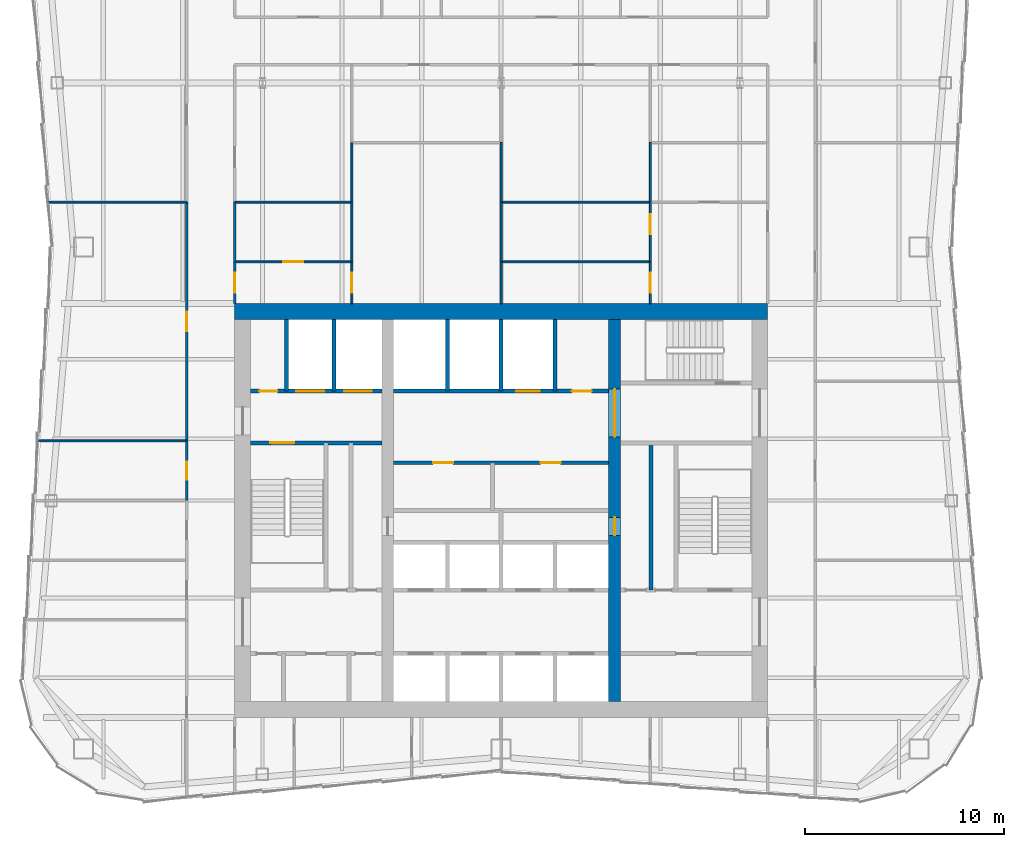
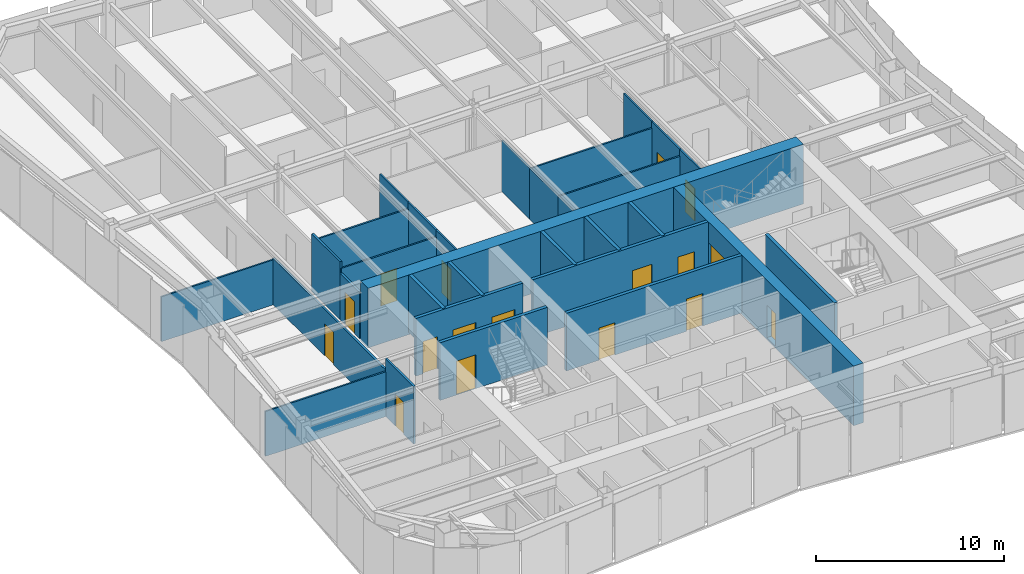
# One storey, part 7 of 12: 31 walls, 17 doors, 17 openings.
"""IFC4 building model written with IfcOpenShell, lengths in metres."""

from ifc_helpers import new_model, si_unit, direction, frame, frame_2d, origin, place, context, subcontext, project, spatial, rectangle, extrude, material, layer, layer_set, type_object, element, fill, save


model = new_model("IFC4")

# Units and contexts
model_context = context("Model", 3, precision=1e-05, world=origin(), true_north=direction((0.0, 1.0)))
body_context = subcontext(model_context, "Body", "Model", "MODEL_VIEW")
ifc_project = project(units=[si_unit("LENGTHUNIT", "METRE"), si_unit("AREAUNIT", "SQUARE_METRE"), si_unit("VOLUMEUNIT", "CUBIC_METRE"), si_unit("PLANEANGLEUNIT", "RADIAN"), si_unit("MASSUNIT", "GRAM", prefix="KILO")], contexts=[model_context])

# Site, building, storey
site_placement = place(None, origin())
site = spatial("IfcSite", under=ifc_project, at=site_placement, CompositionType="ELEMENT")
building_placement = place(site_placement, origin())
building = spatial("IfcBuilding", under=site, at=building_placement, Name="Verdant Reach Tower", CompositionType="ELEMENT")
storey_placement = place(building_placement, frame((0.0, 0.0, 278.0)))
storey = spatial("IfcBuildingStorey", under=building, at=storey_placement, Name="L64", CompositionType="ELEMENT", Elevation=278.0)

# Wall, openings, doors
ifc_material_1 = material(Name="Gypsum board on steel studs", Category="steel")
ifc_layer_1 = layer(ifc_material_1, 0.199951171875)
ifc_layer_set_1 = layer_set([ifc_layer_1], Name="CO-WALL-ROOM")
wall_type_1 = type_object("IfcWallType", Name="CO-WALL-ROOM", PredefinedType="PARTITIONING", material=ifc_layer_set_1)
wall_1_placement = place(storey_placement, frame((-5.39990234375, 30.39990234375, 0.0), z_axis=(0.0, 0.0, 1.0), x_axis=(1.0, 0.0, 0.0)))
wall_1 = element("IfcWall", 1, at=wall_1_placement, inside=storey, type_object=wall_type_1, Name="Core partition, L64", PredefinedType="PARTITIONING", context=body_context, shape_type="SweptSolid", body=[
    extrude(rectangle(XDim=10.7998046875, YDim=0.199951171875, at=frame_2d((5.39990234375, 0.0))), origin(), (0.0, 0.0, 1.0), 3.75),
])
opening_1_placement = place(wall_1_placement, frame((1.98388671875, 0.0, 0.0)))
opening_1 = element("IfcOpeningElement", 2, at=opening_1_placement, cuts=wall_1, Name="Opening CD", PredefinedType="OPENING", context=body_context, shape_type="SweptSolid", body=[
    extrude(rectangle(XDim=1.0, YDim=2.10009765625, at=frame_2d((0.5, 1.050048828125))), frame((0.0, 0.10986328125, 0.0), z_axis=(0.0, -1.0, 0.0), x_axis=(1.0, 0.0, 0.0)), (0.0, 0.0, 1.0), 0.219970703125),
])
opening_2_placement = place(wall_1_placement, frame((7.384033203125, 0.0, 0.0)))
opening_2 = element("IfcOpeningElement", 3, at=opening_2_placement, cuts=wall_1, Name="Opening CD", PredefinedType="OPENING", context=body_context, shape_type="SweptSolid", body=[
    extrude(rectangle(XDim=1.0, YDim=2.10009765625, at=frame_2d((0.5, 1.050048828125))), frame((0.0, 0.10986328125, 0.0), z_axis=(0.0, -1.0, 0.0), x_axis=(1.0, 0.0, 0.0)), (0.0, 0.0, 1.0), 0.219970703125),
])
ifc_material_2 = material(Name="Timber", Category="wood")
door_type_1 = type_object("IfcDoorType", Name="CO-DOOR-ROOM", OperationType="NOTDEFINED", PredefinedType="DOOR", material=ifc_material_2)
door_1_placement = place(opening_1_placement, origin())
door_1 = element("IfcDoor", 4, at=door_1_placement, inside=storey, type_object=door_type_1, Name="Core room door, L64", OperationType="SINGLE_SWING_LEFT", OverallHeight=2.10009765625, OverallWidth=1.0, PredefinedType="DOOR", context=body_context, shape_type="SweptSolid", body=[
    extrude(rectangle(XDim=1.0, YDim=2.10009765625, at=frame_2d((0.5, 1.050048828125))), frame((0.0, 0.02490234375, 0.0), z_axis=(0.0, -1.0, 0.0), x_axis=(1.0, 0.0, 0.0)), (0.0, 0.0, 1.0), 0.050048828125),
])
fill(opening_1, door_1)
door_2_placement = place(opening_2_placement, origin())
door_2 = element("IfcDoor", 5, at=door_2_placement, inside=storey, type_object=door_type_1, Name="Core room door, L64", OperationType="SINGLE_SWING_RIGHT", OverallHeight=2.10009765625, OverallWidth=1.0, PredefinedType="DOOR", context=body_context, shape_type="SweptSolid", body=[
    extrude(rectangle(XDim=1.0, YDim=2.10009765625, at=frame_2d((0.5, 1.050048828125))), frame((0.0, 0.02490234375, 0.0), z_axis=(0.0, -1.0, 0.0), x_axis=(1.0, 0.0, 0.0)), (0.0, 0.0, 1.0), 0.050048828125),
])
fill(opening_2, door_2)

# Wall
wall_2_placement = place(storey_placement, frame((7.5400390625, 24.0, 0.0), z_axis=(0.0, 0.0, 1.0), x_axis=(0.0, 1.0, 0.0)))
element("IfcWall", 6, at=wall_2_placement, inside=storey, type_object=wall_type_1, Name="Core partition, L64", PredefinedType="PARTITIONING", context=body_context, shape_type="SweptSolid", body=[
    extrude(rectangle(XDim=7.39990234375, YDim=0.199951171875, at=frame_2d((3.699951171875, 0.0))), origin(), (0.0, 0.0, 1.0), 3.75),
])

# Wall, openings, doors
ifc_material_3 = material(Name="Concrete C40/50", Category="concrete")
ifc_layer_2 = layer(ifc_material_3, 0.199951171875)
ifc_layer_set_2 = layer_set([ifc_layer_2], Name="CO-WALL-SHAFT")
wall_type_2 = type_object("IfcWallType", Name="CO-WALL-SHAFT", PredefinedType="PARTITIONING", material=ifc_layer_set_2)
wall_3_placement = place(storey_placement, frame((-12.60009765625, 34.0, 0.0), z_axis=(0.0, 0.0, 1.0), x_axis=(1.0, 0.0, 0.0)))
wall_3 = element("IfcWall", 7, at=wall_3_placement, inside=storey, type_object=wall_type_2, Name="Lift shaft wall, L64", PredefinedType="PARTITIONING", context=body_context, shape_type="SweptSolid", body=[
    extrude(rectangle(XDim=6.60009765625, YDim=0.199951171875, at=frame_2d((3.300048828125, 0.0))), origin(), (0.0, 0.0, 1.0), 3.75),
])
opening_3_placement = place(wall_3_placement, frame((4.699951171875, 0.0, 0.0)))
opening_3 = element("IfcOpeningElement", 8, at=opening_3_placement, cuts=wall_3, Name="Opening LD-F1", PredefinedType="OPENING", context=body_context, shape_type="SweptSolid", body=[
    extrude(rectangle(XDim=1.39990234375, YDim=2.199951171875, at=frame_2d((0.699951171875, 1.10009765625))), frame((0.0, 0.10986328125, 0.0), z_axis=(0.0, -1.0, 0.0), x_axis=(1.0, 0.0, 0.0)), (0.0, 0.0, 1.0), 0.219970703125),
])
opening_4_placement = place(wall_3_placement, frame((2.300048828125, 0.0, 0.0)))
opening_4 = element("IfcOpeningElement", 9, at=opening_4_placement, cuts=wall_3, Name="Opening LD-F2", PredefinedType="OPENING", context=body_context, shape_type="SweptSolid", body=[
    extrude(rectangle(XDim=1.39990234375, YDim=2.199951171875, at=frame_2d((0.699951171875, 1.10009765625))), frame((0.0, 0.10986328125, 0.0), z_axis=(0.0, -1.0, 0.0), x_axis=(1.0, 0.0, 0.0)), (0.0, 0.0, 1.0), 0.219970703125),
])
opening_5_placement = place(wall_3_placement, frame((0.449951171875, 0.0, 0.0)))
opening_5 = element("IfcOpeningElement", 10, at=opening_5_placement, cuts=wall_3, Name="Opening RD", PredefinedType="OPENING", context=body_context, shape_type="SweptSolid", body=[
    extrude(rectangle(XDim=0.89990234375, YDim=2.10009765625, at=frame_2d((0.449951171875, 1.050048828125))), frame((0.0, 0.10986328125, 0.0), z_axis=(0.0, -1.0, 0.0), x_axis=(1.0, 0.0, 0.0)), (0.0, 0.0, 1.0), 0.219970703125),
])
ifc_material_4 = material(Name="Stainless steel", Category="steel")
door_type_2 = type_object("IfcDoorType", Name="CO-DOOR-LANDING-FF", OperationType="SLIDING_TO_LEFT", PredefinedType="DOOR", material=ifc_material_4)
door_3_placement = place(opening_3_placement, origin())
door_3 = element("IfcDoor", 11, at=door_3_placement, inside=storey, type_object=door_type_2, Name="Landing door F1, L64", OperationType="SLIDING_TO_LEFT", OverallHeight=2.199951171875, OverallWidth=1.39990234375, PredefinedType="DOOR", context=body_context, shape_type="SweptSolid", body=[
    extrude(rectangle(XDim=1.39990234375, YDim=2.199951171875, at=frame_2d((0.699951171875, 1.10009765625))), frame((0.0, 0.02490234375, 0.0), z_axis=(0.0, -1.0, 0.0), x_axis=(1.0, 0.0, 0.0)), (0.0, 0.0, 1.0), 0.050048828125),
])
fill(opening_3, door_3)
door_4_placement = place(opening_4_placement, origin())
door_4 = element("IfcDoor", 12, at=door_4_placement, inside=storey, type_object=door_type_2, Name="Landing door F2, L64", OperationType="SLIDING_TO_LEFT", OverallHeight=2.199951171875, OverallWidth=1.39990234375, PredefinedType="DOOR", context=body_context, shape_type="SweptSolid", body=[
    extrude(rectangle(XDim=1.39990234375, YDim=2.199951171875, at=frame_2d((0.699951171875, 1.10009765625))), frame((0.0, 0.02490234375, 0.0), z_axis=(0.0, -1.0, 0.0), x_axis=(1.0, 0.0, 0.0)), (0.0, 0.0, 1.0), 0.050048828125),
])
fill(opening_4, door_4)
ifc_material_5 = material(Name="Steel", Category="steel")
door_type_3 = type_object("IfcDoorType", Name="CO-DOOR-RISER", OperationType="NOTDEFINED", PredefinedType="DOOR", material=ifc_material_5)
door_5_placement = place(opening_5_placement, origin())
door_5 = element("IfcDoor", 13, at=door_5_placement, inside=storey, type_object=door_type_3, Name="Core room door, L64", OperationType="SINGLE_SWING_RIGHT", OverallHeight=2.10009765625, OverallWidth=0.89990234375, PredefinedType="DOOR", context=body_context, shape_type="SweptSolid", body=[
    extrude(rectangle(XDim=0.89990234375, YDim=2.10009765625, at=frame_2d((0.449951171875, 1.050048828125))), frame((0.0, 0.02490234375, 0.0), z_axis=(0.0, -1.0, 0.0), x_axis=(1.0, 0.0, 0.0)), (0.0, 0.0, 1.0), 0.050048828125),
])
fill(opening_5, door_5)

wall_4_placement = place(storey_placement, frame((-5.39990234375, 34.0, 0.0), z_axis=(0.0, 0.0, 1.0), x_axis=(1.0, 0.0, 0.0)))
wall_4 = element("IfcWall", 14, at=wall_4_placement, inside=storey, type_object=wall_type_2, Name="Lift shaft wall, L64", PredefinedType="PARTITIONING", context=body_context, shape_type="SweptSolid", body=[
    extrude(rectangle(XDim=10.7998046875, YDim=0.199951171875, at=frame_2d((5.39990234375, 0.0))), origin(), (0.0, 0.0, 1.0), 3.75),
])
opening_6_placement = place(wall_4_placement, frame((6.14990234375, 0.0, 0.0)))
opening_6 = element("IfcOpeningElement", 15, at=opening_6_placement, cuts=wall_4, Name="Opening LD-SL1", PredefinedType="OPENING", context=body_context, shape_type="SweptSolid", body=[
    extrude(rectangle(XDim=1.199951171875, YDim=2.199951171875, at=frame_2d((0.60009765625, 1.10009765625))), frame((0.0, 0.10986328125, 0.0), z_axis=(0.0, -1.0, 0.0), x_axis=(1.0, 0.0, 0.0)), (0.0, 0.0, 1.0), 0.219970703125),
])
opening_7_placement = place(wall_4_placement, frame((8.949951171875, 0.0, 0.0)))
opening_7 = element("IfcOpeningElement", 16, at=opening_7_placement, cuts=wall_4, Name="Opening CD", PredefinedType="OPENING", context=body_context, shape_type="SweptSolid", body=[
    extrude(rectangle(XDim=1.0, YDim=2.10009765625, at=frame_2d((0.5, 1.050048828125))), frame((0.0, 0.10986328125, 0.0), z_axis=(0.0, -1.0, 0.0), x_axis=(1.0, 0.0, 0.0)), (0.0, 0.0, 1.0), 0.219970703125),
])
door_type_4 = type_object("IfcDoorType", Name="CO-DOOR-LANDING", OperationType="SLIDING_TO_LEFT", PredefinedType="DOOR", material=ifc_material_4)
door_6_placement = place(opening_6_placement, origin())
door_6 = element("IfcDoor", 17, at=door_6_placement, inside=storey, type_object=door_type_4, Name="Landing door SL1, L64", OperationType="SLIDING_TO_LEFT", OverallHeight=2.199951171875, OverallWidth=1.199951171875, PredefinedType="DOOR", context=body_context, shape_type="SweptSolid", body=[
    extrude(rectangle(XDim=1.199951171875, YDim=2.199951171875, at=frame_2d((0.60009765625, 1.10009765625))), frame((0.0, 0.02490234375, 0.0), z_axis=(0.0, -1.0, 0.0), x_axis=(1.0, 0.0, 0.0)), (0.0, 0.0, 1.0), 0.050048828125),
])
fill(opening_6, door_6)
door_7_placement = place(opening_7_placement, origin())
door_7 = element("IfcDoor", 18, at=door_7_placement, inside=storey, type_object=door_type_1, Name="Core room door, L64", OperationType="SINGLE_SWING_LEFT", OverallHeight=2.10009765625, OverallWidth=1.0, PredefinedType="DOOR", context=body_context, shape_type="SweptSolid", body=[
    extrude(rectangle(XDim=1.0, YDim=2.10009765625, at=frame_2d((0.5, 1.050048828125))), frame((0.0, 0.02490234375, 0.0), z_axis=(0.0, -1.0, 0.0), x_axis=(1.0, 0.0, 0.0)), (0.0, 0.0, 1.0), 0.050048828125),
])
fill(opening_7, door_7)

# Walls
for number, where, z_axis, x_axis, name in (
    (19, (-10.800048828125, 34.0, 0.0), (0.0, 0.0, 1.0), (0.0, 1.0, 0.0), "Lift shaft wall, L64"),
    (20, (-8.39990234375, 34.0, 0.0), (0.0, 0.0, 1.0), (0.0, 1.0, 0.0), "Lift shaft wall, L64"),
    (21, (-2.699951171875, 34.0, 0.0), (0.0, 0.0, 1.0), (0.0, 1.0, 0.0), "Lift shaft wall, L64"),
    (22, (0.0, 34.0, 0.0), (0.0, 0.0, 1.0), (0.0, 1.0, 0.0), "Lift shaft wall, L64"),
    (23, (2.699951171875, 34.0, 0.0), (0.0, 0.0, 1.0), (0.0, 1.0, 0.0), "Lift shaft wall, L64"),
):
    element("IfcWall", number, at=place(storey_placement, frame(where, z_axis=z_axis, x_axis=x_axis)), inside=storey, type_object=wall_type_2, Name=name, PredefinedType="PARTITIONING", context=body_context, shape_type="SweptSolid", body=[
        extrude(rectangle(XDim=3.60009765625, YDim=0.199951171875, at=frame_2d((1.800048828125, 0.0))), origin(), (0.0, 0.0, 1.0), 3.75),
    ])

# Wall, opening, door
ifc_layer_3 = layer(ifc_material_3, 0.199951171875)
ifc_layer_set_3 = layer_set([ifc_layer_3], Name="CO-WALL-STAIR")
wall_type_3 = type_object("IfcWallType", Name="CO-WALL-STAIR", PredefinedType="PARTITIONING", material=ifc_layer_set_3)
wall_5_placement = place(storey_placement, frame((-12.60009765625, 31.39990234375, 0.0), z_axis=(0.0, 0.0, 1.0), x_axis=(1.0, 0.0, 0.0)))
wall_5 = element("IfcWall", 24, at=wall_5_placement, inside=storey, type_object=wall_type_3, Name="Stair enclosure wall, L64", PredefinedType="PARTITIONING", context=body_context, shape_type="SweptSolid", body=[
    extrude(rectangle(XDim=6.60009765625, YDim=0.199951171875, at=frame_2d((3.300048828125, 0.0))), origin(), (0.0, 0.0, 1.0), 3.75),
])
opening_8_placement = place(wall_5_placement, frame((1.0, 0.0, 0.0)))
opening_8 = element("IfcOpeningElement", 25, at=opening_8_placement, cuts=wall_5, Name="Opening SD", PredefinedType="OPENING", context=body_context, shape_type="SweptSolid", body=[
    extrude(rectangle(XDim=1.199951171875, YDim=2.199951171875, at=frame_2d((0.60009765625, 1.10009765625))), frame((0.0, 0.10986328125, 0.0), z_axis=(0.0, -1.0, 0.0), x_axis=(1.0, 0.0, 0.0)), (0.0, 0.0, 1.0), 0.219970703125),
])
door_type_5 = type_object("IfcDoorType", Name="CO-DOOR-STAIR", OperationType="NOTDEFINED", PredefinedType="DOOR", material=ifc_material_5)
door_8_placement = place(opening_8_placement, origin())
door_8 = element("IfcDoor", 26, at=door_8_placement, inside=storey, type_object=door_type_5, Name="Stair door, L64", OperationType="SINGLE_SWING_LEFT", OverallHeight=2.199951171875, OverallWidth=1.199951171875, PredefinedType="DOOR", context=body_context, shape_type="SweptSolid", body=[
    extrude(rectangle(XDim=1.199951171875, YDim=2.199951171875, at=frame_2d((0.60009765625, 1.10009765625))), frame((0.0, 0.02490234375, 0.0), z_axis=(0.0, -1.0, 0.0), x_axis=(1.0, 0.0, 0.0)), (0.0, 0.0, 1.0), 0.050048828125),
])
fill(opening_8, door_8)

# Walls
ifc_layer_4 = layer(ifc_material_1, 0.10009765625)
ifc_layer_set_4 = layer_set([ifc_layer_4], Name="FL-W1 Partition 100")
wall_type_4 = type_object("IfcWallType", Name="FL-W1 Partition 100", PredefinedType="PARTITIONING", material=ifc_layer_set_4)
wall_6_placement = place(storey_placement, frame((-15.800048828125, 31.5, 0.0), z_axis=(0.0, 0.0, 1.0), x_axis=(-1.0, 0.0, 0.0)))
element("IfcWall", 27, at=wall_6_placement, inside=storey, type_object=wall_type_4, Name="Partition 64.36", PredefinedType="PARTITIONING", context=body_context, shape_type="SweptSolid", body=[
    extrude(rectangle(XDim=7.452392578125, YDim=0.10009765625, at=frame_2d((3.72607421875, 0.0))), origin(), (0.0, 0.0, 1.0), 2.919921875),
])
wall_7_placement = place(storey_placement, frame((-15.800048828125, 43.5, 0.0), z_axis=(0.0, 0.0, 1.0), x_axis=(-1.0, 0.0, 0.0)))
element("IfcWall", 28, at=wall_7_placement, inside=storey, type_object=wall_type_4, Name="Partition 64.37", PredefinedType="PARTITIONING", context=body_context, shape_type="SweptSolid", body=[
    extrude(rectangle(XDim=6.93505859375, YDim=0.10009765625, at=frame_2d((3.467529296875, 0.0))), origin(), (0.0, 0.0, 1.0), 2.919921875),
])

# Wall, opening, door
wall_8_placement = place(storey_placement, frame((-13.39990234375, 40.5, 0.0), z_axis=(0.0, 0.0, 1.0), x_axis=(1.0, 0.0, 0.0)))
wall_8 = element("IfcWall", 29, at=wall_8_placement, inside=storey, type_object=wall_type_4, Name="Partition 64.47", PredefinedType="PARTITIONING", context=body_context, shape_type="SweptSolid", body=[
    extrude(rectangle(XDim=5.89990234375, YDim=0.10009765625, at=frame_2d((2.949951171875, 0.0))), origin(), (0.0, 0.0, 1.0), 3.320068359375),
])
opening_9_placement = place(wall_8_placement, frame((2.449951171875, 0.0, 0.0)))
opening_9 = element("IfcOpeningElement", 30, at=opening_9_placement, cuts=wall_8, Name="Opening D3", PredefinedType="OPENING", context=body_context, shape_type="SweptSolid", body=[
    extrude(rectangle(XDim=1.0, YDim=2.10009765625, at=frame_2d((0.5, 1.050048828125))), frame((0.0, 0.06005859375, 0.0), z_axis=(0.0, -1.0, 0.0), x_axis=(1.0, 0.0, 0.0)), (0.0, 0.0, 1.0), 0.1201171875),
])
ifc_material_6 = material(Name="Painted timber door leaf", Category="wood")
door_type_6 = type_object("IfcDoorType", Name="FL-D3 Door 1000x2100", OperationType="NOTDEFINED", PredefinedType="DOOR", material=ifc_material_6)
door_9_placement = place(opening_9_placement, origin())
door_9 = element("IfcDoor", 31, at=door_9_placement, inside=storey, type_object=door_type_6, Name="Door 64-029", OperationType="SINGLE_SWING_LEFT", OverallHeight=2.10009765625, OverallWidth=1.0, PredefinedType="DOOR", context=body_context, shape_type="SweptSolid", body=[
    extrude(rectangle(XDim=1.0, YDim=2.10009765625, at=frame_2d((0.5, 1.050048828125))), frame((0.0, 0.02490234375, 0.0), z_axis=(0.0, -1.0, 0.0), x_axis=(1.0, 0.0, 0.0)), (0.0, 0.0, 1.0), 0.050048828125),
])
fill(opening_9, door_9)

wall_9_placement = place(storey_placement, frame((-7.5, 40.50390625, 0.0), z_axis=(0.0, 0.0, 1.0), x_axis=(0.0, -1.0, 0.0)))
wall_9 = element("IfcWall", 32, at=wall_9_placement, inside=storey, type_object=wall_type_4, Name="Partition 64.48", PredefinedType="PARTITIONING", context=body_context, shape_type="SweptSolid", body=[
    extrude(rectangle(XDim=2.10400390625, YDim=0.10009765625, at=frame_2d((1.052001953125, 0.0))), origin(), (0.0, 0.0, 1.0), 3.75),
])
opening_10_placement = place(wall_9_placement, frame((0.552001953125, 0.0, 0.0)))
opening_10 = element("IfcOpeningElement", 33, at=opening_10_placement, cuts=wall_9, Name="Opening D3", PredefinedType="OPENING", context=body_context, shape_type="SweptSolid", body=[
    extrude(rectangle(XDim=1.0, YDim=2.10009765625, at=frame_2d((0.5, 1.050048828125))), frame((0.0, 0.06005859375, 0.0), z_axis=(0.0, -1.0, 0.0), x_axis=(1.0, 0.0, 0.0)), (0.0, 0.0, 1.0), 0.1201171875),
])
door_10_placement = place(opening_10_placement, origin())
door_10 = element("IfcDoor", 34, at=door_10_placement, inside=storey, type_object=door_type_6, Name="Door 64-030", OperationType="SINGLE_SWING_RIGHT", OverallHeight=2.10009765625, OverallWidth=1.0, PredefinedType="DOOR", context=body_context, shape_type="SweptSolid", body=[
    extrude(rectangle(XDim=1.0, YDim=2.10009765625, at=frame_2d((0.5, 1.050048828125))), frame((0.0, 0.02490234375, 0.0), z_axis=(0.0, -1.0, 0.0), x_axis=(1.0, 0.0, 0.0)), (0.0, 0.0, 1.0), 0.050048828125),
])
fill(opening_10, door_10)

# Walls
wall_10_placement = place(storey_placement, frame((-7.5, 43.5, 0.0), z_axis=(0.0, 0.0, 1.0), x_axis=(-1.0, 0.0, 0.0)))
element("IfcWall", 35, at=wall_10_placement, inside=storey, type_object=wall_type_4, Name="Partition 64.49", PredefinedType="PARTITIONING", context=body_context, shape_type="SweptSolid", body=[
    extrude(rectangle(XDim=5.89990234375, YDim=0.10009765625, at=frame_2d((2.949951171875, 0.0))), origin(), (0.0, 0.0, 1.0), 3.320068359375),
])
wall_11_placement = place(storey_placement, frame((-7.5, 40.49609375, 0.0), z_axis=(0.0, 0.0, 1.0), x_axis=(0.0, 1.0, 0.0)))
element("IfcWall", 36, at=wall_11_placement, inside=storey, type_object=wall_type_4, Name="Partition 64.50", PredefinedType="PARTITIONING", context=body_context, shape_type="SweptSolid", body=[
    extrude(rectangle(XDim=3.0078125, YDim=0.10009765625, at=frame_2d((1.50390625, 0.0))), origin(), (0.0, 0.0, 1.0), 3.75),
])
wall_12_placement = place(storey_placement, frame((-7.5, 43.49609375, 0.0), z_axis=(0.0, 0.0, 1.0), x_axis=(0.0, 1.0, 0.0)))
element("IfcWall", 37, at=wall_12_placement, inside=storey, type_object=wall_type_4, Name="Partition 64.51", PredefinedType="PARTITIONING", context=body_context, shape_type="SweptSolid", body=[
    extrude(rectangle(XDim=3.00390625, YDim=0.10009765625, at=frame_2d((1.501953125, 0.0))), origin(), (0.0, 0.0, 1.0), 3.75),
])
wall_13_placement = place(storey_placement, frame((0.0, 38.39990234375, 0.0), z_axis=(0.0, 0.0, 1.0), x_axis=(0.0, 1.0, 0.0)))
element("IfcWall", 38, at=wall_13_placement, inside=storey, type_object=wall_type_4, Name="Partition 64.54", PredefinedType="PARTITIONING", context=body_context, shape_type="SweptSolid", body=[
    extrude(rectangle(XDim=2.10009765625, YDim=0.10009765625, at=frame_2d((1.050048828125, 0.0))), origin(), (0.0, 0.0, 1.0), 3.320068359375),
])
wall_14_placement = place(storey_placement, frame((0.0, 40.5, 0.0), z_axis=(0.0, 0.0, 1.0), x_axis=(0.0, 1.0, 0.0)))
element("IfcWall", 39, at=wall_14_placement, inside=storey, type_object=wall_type_4, Name="Partition 64.55", PredefinedType="PARTITIONING", context=body_context, shape_type="SweptSolid", body=[
    extrude(rectangle(XDim=3.0, YDim=0.10009765625, at=frame_2d((1.5, 0.0))), origin(), (0.0, 0.0, 1.0), 3.320068359375),
])
wall_15_placement = place(storey_placement, frame((0.0, 43.5, 0.0), z_axis=(0.0, 0.0, 1.0), x_axis=(0.0, 1.0, 0.0)))
element("IfcWall", 40, at=wall_15_placement, inside=storey, type_object=wall_type_4, Name="Partition 64.56", PredefinedType="PARTITIONING", context=body_context, shape_type="SweptSolid", body=[
    extrude(rectangle(XDim=3.00390625, YDim=0.10009765625, at=frame_2d((1.501953125, 0.0))), origin(), (0.0, 0.0, 1.0), 3.320068359375),
])

# Wall, opening, door
wall_16_placement = place(storey_placement, frame((7.5, 38.39990234375, 0.0), z_axis=(0.0, 0.0, 1.0), x_axis=(0.0, 1.0, 0.0)))
wall_16 = element("IfcWall", 41, at=wall_16_placement, inside=storey, type_object=wall_type_4, Name="Partition 64.59", PredefinedType="PARTITIONING", context=body_context, shape_type="SweptSolid", body=[
    extrude(rectangle(XDim=2.10009765625, YDim=0.10009765625, at=frame_2d((1.050048828125, 0.0))), origin(), (0.0, 0.0, 1.0), 3.75),
])
opening_11_placement = place(wall_16_placement, frame((0.550048828125, 0.0, 0.0)))
opening_11 = element("IfcOpeningElement", 42, at=opening_11_placement, cuts=wall_16, Name="Opening D3", PredefinedType="OPENING", context=body_context, shape_type="SweptSolid", body=[
    extrude(rectangle(XDim=1.0, YDim=2.10009765625, at=frame_2d((0.5, 1.050048828125))), frame((0.0, 0.06005859375, 0.0), z_axis=(0.0, -1.0, 0.0), x_axis=(1.0, 0.0, 0.0)), (0.0, 0.0, 1.0), 0.1201171875),
])
door_11_placement = place(opening_11_placement, origin())
door_11 = element("IfcDoor", 43, at=door_11_placement, inside=storey, type_object=door_type_6, Name="Door 64-032", OperationType="SINGLE_SWING_RIGHT", OverallHeight=2.10009765625, OverallWidth=1.0, PredefinedType="DOOR", context=body_context, shape_type="SweptSolid", body=[
    extrude(rectangle(XDim=1.0, YDim=2.10009765625, at=frame_2d((0.5, 1.050048828125))), frame((0.0, 0.02490234375, 0.0), z_axis=(0.0, -1.0, 0.0), x_axis=(1.0, 0.0, 0.0)), (0.0, 0.0, 1.0), 0.050048828125),
])
fill(opening_11, door_11)

wall_17_placement = place(storey_placement, frame((7.5, 40.5, 0.0), z_axis=(0.0, 0.0, 1.0), x_axis=(0.0, 1.0, 0.0)))
wall_17 = element("IfcWall", 44, at=wall_17_placement, inside=storey, type_object=wall_type_4, Name="Partition 64.60", PredefinedType="PARTITIONING", context=body_context, shape_type="SweptSolid", body=[
    extrude(rectangle(XDim=3.0, YDim=0.10009765625, at=frame_2d((1.5, 0.0))), origin(), (0.0, 0.0, 1.0), 3.75),
])
opening_12_placement = place(wall_17_placement, frame((1.39990234375, 0.0, 0.0)))
opening_12 = element("IfcOpeningElement", 45, at=opening_12_placement, cuts=wall_17, Name="Opening D3", PredefinedType="OPENING", context=body_context, shape_type="SweptSolid", body=[
    extrude(rectangle(XDim=1.0, YDim=2.10009765625, at=frame_2d((0.5, 1.050048828125))), frame((0.0, 0.06005859375, 0.0), z_axis=(0.0, -1.0, 0.0), x_axis=(1.0, 0.0, 0.0)), (0.0, 0.0, 1.0), 0.1201171875),
])
door_12_placement = place(opening_12_placement, origin())
door_12 = element("IfcDoor", 46, at=door_12_placement, inside=storey, type_object=door_type_6, Name="Door 64-033", OperationType="SINGLE_SWING_RIGHT", OverallHeight=2.10009765625, OverallWidth=1.0, PredefinedType="DOOR", context=body_context, shape_type="SweptSolid", body=[
    extrude(rectangle(XDim=1.0, YDim=2.10009765625, at=frame_2d((0.5, 1.050048828125))), frame((0.0, 0.02490234375, 0.0), z_axis=(0.0, -1.0, 0.0), x_axis=(1.0, 0.0, 0.0)), (0.0, 0.0, 1.0), 0.050048828125),
])
fill(opening_12, door_12)

# Walls
wall_18_placement = place(storey_placement, frame((7.5, 46.50390625, 0.0), z_axis=(0.0, 0.0, 1.0), x_axis=(0.0, -1.0, 0.0)))
element("IfcWall", 47, at=wall_18_placement, inside=storey, type_object=wall_type_4, Name="Partition 64.62", PredefinedType="PARTITIONING", context=body_context, shape_type="SweptSolid", body=[
    extrude(rectangle(XDim=3.00390625, YDim=0.10009765625, at=frame_2d((1.501953125, 0.0))), origin(), (0.0, 0.0, 1.0), 3.75),
])
for number, where, z_axis, x_axis, name in (
    (48, (7.5, 40.5, 0.0), (0.0, 0.0, 1.0), (-1.0, 0.0, 0.0), "Partition 64.64"),
    (49, (7.5, 43.5, 0.0), (0.0, 0.0, 1.0), (-1.0, 0.0, 0.0), "Partition 64.65"),
):
    element("IfcWall", number, at=place(storey_placement, frame(where, z_axis=z_axis, x_axis=x_axis)), inside=storey, type_object=wall_type_4, Name=name, PredefinedType="PARTITIONING", context=body_context, shape_type="SweptSolid", body=[
        extrude(rectangle(XDim=7.5, YDim=0.10009765625, at=frame_2d((3.75, 0.0))), origin(), (0.0, 0.0, 1.0), 3.320068359375),
    ])

# Wall, opening, door
ifc_material_7 = material(Name="Gypsum board on steel studs, fire rated", Category="steel")
ifc_layer_5 = layer(ifc_material_7, 0.125)
ifc_layer_set_5 = layer_set([ifc_layer_5], Name="FL-W2 Corridor wall 125")
wall_type_5 = type_object("IfcWallType", Name="FL-W2 Corridor wall 125", PredefinedType="PARTITIONING", material=ifc_layer_set_5)
wall_19_placement = place(storey_placement, frame((-15.800048828125, 28.5, 0.0), z_axis=(0.0, 0.0, 1.0), x_axis=(0.0, 1.0, 0.0)))
wall_19 = element("IfcWall", 50, at=wall_19_placement, inside=storey, type_object=wall_type_5, Name="Partition 64.04", PredefinedType="PARTITIONING", context=body_context, shape_type="SweptSolid", body=[
    extrude(rectangle(XDim=3.0, YDim=0.125, at=frame_2d((1.5, 0.0))), origin(), (0.0, 0.0, 1.0), 3.75),
])
opening_13_placement = place(wall_19_placement, frame((1.050048828125, 0.0, 0.0)))
opening_13 = element("IfcOpeningElement", 51, at=opening_13_placement, cuts=wall_19, Name="Opening D1", PredefinedType="OPENING", context=body_context, shape_type="SweptSolid", body=[
    extrude(rectangle(XDim=0.89990234375, YDim=2.10009765625, at=frame_2d((0.449951171875, 1.050048828125))), frame((0.0, 0.072509765625, 0.0), z_axis=(0.0, -1.0, 0.0), x_axis=(1.0, 0.0, 0.0)), (0.0, 0.0, 1.0), 0.14501953125),
])
door_type_7 = type_object("IfcDoorType", Name="FL-D1 Door 900x2100", OperationType="NOTDEFINED", PredefinedType="DOOR", material=ifc_material_6)
door_13_placement = place(opening_13_placement, origin())
door_13 = element("IfcDoor", 52, at=door_13_placement, inside=storey, type_object=door_type_7, Name="Door 64-004", OperationType="SINGLE_SWING_RIGHT", OverallHeight=2.10009765625, OverallWidth=0.89990234375, PredefinedType="DOOR", context=body_context, shape_type="SweptSolid", body=[
    extrude(rectangle(XDim=0.89990234375, YDim=2.10009765625, at=frame_2d((0.449951171875, 1.050048828125))), frame((0.0, 0.02490234375, 0.0), z_axis=(0.0, -1.0, 0.0), x_axis=(1.0, 0.0, 0.0)), (0.0, 0.0, 1.0), 0.050048828125),
])
fill(opening_13, door_13)

wall_20_placement = place(storey_placement, frame((-15.800048828125, 31.5, 0.0), z_axis=(0.0, 0.0, 1.0), x_axis=(0.0, 1.0, 0.0)))
wall_20 = element("IfcWall", 53, at=wall_20_placement, inside=storey, type_object=wall_type_5, Name="Partition 64.05", PredefinedType="PARTITIONING", context=body_context, shape_type="SweptSolid", body=[
    extrude(rectangle(XDim=12.0, YDim=0.125, at=frame_2d((6.0, 0.0))), origin(), (0.0, 0.0, 1.0), 3.02001953125),
])
opening_14_placement = place(wall_20_placement, frame((5.5, 0.0, 0.0)))
opening_14 = element("IfcOpeningElement", 54, at=opening_14_placement, cuts=wall_20, Name="Opening D2", PredefinedType="OPENING", context=body_context, shape_type="SweptSolid", body=[
    extrude(rectangle(XDim=1.0, YDim=2.10009765625, at=frame_2d((0.5, 1.050048828125))), frame((0.0, 0.072509765625, 0.0), z_axis=(0.0, -1.0, 0.0), x_axis=(1.0, 0.0, 0.0)), (0.0, 0.0, 1.0), 0.14501953125),
])
ifc_material_8 = material(Name="Timber door leaf, fire rated", Category="wood")
door_type_8 = type_object("IfcDoorType", Name="FL-D2 Entrance door 1000x2100 FD30", OperationType="NOTDEFINED", PredefinedType="DOOR", material=ifc_material_8)
door_14_placement = place(opening_14_placement, origin())
door_14 = element("IfcDoor", 55, at=door_14_placement, inside=storey, type_object=door_type_8, Name="Door 64-005", OperationType="SINGLE_SWING_LEFT", OverallHeight=2.10009765625, OverallWidth=1.0, PredefinedType="DOOR", context=body_context, shape_type="SweptSolid", body=[
    extrude(rectangle(XDim=1.0, YDim=2.10009765625, at=frame_2d((0.5, 1.050048828125))), frame((0.0, 0.02490234375, 0.0), z_axis=(0.0, -1.0, 0.0), x_axis=(1.0, 0.0, 0.0)), (0.0, 0.0, 1.0), 0.050048828125),
])
fill(opening_14, door_14)

wall_21_placement = place(storey_placement, frame((-13.39990234375, 40.5, 0.0), z_axis=(0.0, 0.0, 1.0), x_axis=(0.0, -1.0, 0.0)))
wall_21 = element("IfcWall", 56, at=wall_21_placement, inside=storey, type_object=wall_type_5, Name="Partition 64.15", PredefinedType="PARTITIONING", context=body_context, shape_type="SweptSolid", body=[
    extrude(rectangle(XDim=2.10009765625, YDim=0.125, at=frame_2d((1.050048828125, 0.0))), origin(), (0.0, 0.0, 1.0), 3.02001953125),
])
opening_15_placement = place(wall_21_placement, frame((0.550048828125, 0.0, 0.0)))
opening_15 = element("IfcOpeningElement", 57, at=opening_15_placement, cuts=wall_21, Name="Opening D2", PredefinedType="OPENING", context=body_context, shape_type="SweptSolid", body=[
    extrude(rectangle(XDim=1.0, YDim=2.10009765625, at=frame_2d((0.5, 1.050048828125))), frame((0.0, 0.072509765625, 0.0), z_axis=(0.0, -1.0, 0.0), x_axis=(1.0, 0.0, 0.0)), (0.0, 0.0, 1.0), 0.14501953125),
])
door_15_placement = place(opening_15_placement, origin())
door_15 = element("IfcDoor", 58, at=door_15_placement, inside=storey, type_object=door_type_8, Name="Door 64-015", OperationType="SINGLE_SWING_LEFT", OverallHeight=2.10009765625, OverallWidth=1.0, PredefinedType="DOOR", context=body_context, shape_type="SweptSolid", body=[
    extrude(rectangle(XDim=1.0, YDim=2.10009765625, at=frame_2d((0.5, 1.050048828125))), frame((0.0, 0.02490234375, 0.0), z_axis=(0.0, -1.0, 0.0), x_axis=(1.0, 0.0, 0.0)), (0.0, 0.0, 1.0), 0.050048828125),
])
fill(opening_15, door_15)

# Wall
wall_22_placement = place(storey_placement, frame((-13.39990234375, 40.5, 0.0), z_axis=(0.0, 0.0, 1.0), x_axis=(0.0, 1.0, 0.0)))
element("IfcWall", 59, at=wall_22_placement, inside=storey, type_object=wall_type_5, Name="Partition 64.16", PredefinedType="PARTITIONING", context=body_context, shape_type="SweptSolid", body=[
    extrude(rectangle(XDim=3.0, YDim=0.125, at=frame_2d((1.5, 0.0))), origin(), (0.0, 0.0, 1.0), 3.75),
])

# Wall, openings, doors
ifc_material_9 = material(Name="Concrete C70/85", Category="concrete")
ifc_layer_6 = layer(ifc_material_9, 0.60009765625)
ifc_layer_set_6 = layer_set([ifc_layer_6], Name="ST-CORE-WALL-600")
wall_type_6 = type_object("IfcWallType", Name="ST-CORE-WALL-600", PredefinedType="SHEAR", material=ifc_layer_set_6)
wall_23_placement = place(storey_placement, frame((5.699951171875, 18.39990234375, -0.1298828125), z_axis=(0.0, 0.0, 1.0), x_axis=(0.0, 1.0, 0.0)))
wall_23 = element("IfcWall", 60, at=wall_23_placement, inside=storey, type_object=wall_type_6, Name="Core wall XE, L64", PredefinedType="SHEAR", context=body_context, shape_type="SweptSolid", body=[
    extrude(rectangle(XDim=19.2001953125, YDim=0.60009765625, at=frame_2d((9.60009765625, 0.0))), origin(), (0.0, 0.0, 1.0), 3.8798828125),
])
opening_16_placement = place(wall_23_placement, frame((8.35009765625, 0.0, 0.1298828125)))
opening_16 = element("IfcOpeningElement", 61, at=opening_16_placement, cuts=wall_23, Name="Opening RD", PredefinedType="OPENING", context=body_context, shape_type="SweptSolid", body=[
    extrude(rectangle(XDim=0.89990234375, YDim=2.10009765625, at=frame_2d((0.449951171875, 1.050048828125))), frame((0.0, 0.31005859375, 0.0), z_axis=(0.0, -1.0, 0.0), x_axis=(1.0, 0.0, 0.0)), (0.0, 0.0, 1.0), 0.6201171875),
])
opening_17_placement = place(wall_23_placement, frame((13.300048828125, 0.0, 0.1298828125)))
opening_17 = element("IfcOpeningElement", 62, at=opening_17_placement, cuts=wall_23, Name="Opening LB", PredefinedType="OPENING", context=body_context, shape_type="SweptSolid", body=[
    extrude(rectangle(XDim=2.39990234375, YDim=2.39990234375, at=frame_2d((1.199951171875, 1.199951171875))), frame((0.0, 0.31005859375, 0.0), z_axis=(0.0, -1.0, 0.0), x_axis=(1.0, 0.0, 0.0)), (0.0, 0.0, 1.0), 0.6201171875),
])
ifc_material_10 = material(Name="Glass and steel", Category="steel")
door_type_9 = type_object("IfcDoorType", Name="CO-DOOR-LOBBY", OperationType="DOUBLE_DOOR_SINGLE_SWING", PredefinedType="DOOR", material=ifc_material_10)
door_16_placement = place(opening_17_placement, origin())
door_16 = element("IfcDoor", 63, at=door_16_placement, inside=storey, type_object=door_type_9, Name="Core entrance door, L64", OperationType="DOUBLE_DOOR_SINGLE_SWING", OverallHeight=2.39990234375, OverallWidth=2.39990234375, PredefinedType="DOOR", context=body_context, shape_type="SweptSolid", body=[
    extrude(rectangle(XDim=2.39990234375, YDim=2.39990234375, at=frame_2d((1.199951171875, 1.199951171875))), frame((0.0, 0.02490234375, 0.0), z_axis=(0.0, -1.0, 0.0), x_axis=(1.0, 0.0, 0.0)), (0.0, 0.0, 1.0), 0.050048828125),
])
fill(opening_17, door_16)
door_17_placement = place(opening_16_placement, origin())
door_17 = element("IfcDoor", 64, at=door_17_placement, inside=storey, type_object=door_type_3, Name="Riser door, L64", OperationType="SINGLE_SWING_LEFT", OverallHeight=2.10009765625, OverallWidth=0.89990234375, PredefinedType="DOOR", context=body_context, shape_type="SweptSolid", body=[
    extrude(rectangle(XDim=0.89990234375, YDim=2.10009765625, at=frame_2d((0.449951171875, 1.050048828125))), frame((0.0, 0.02490234375, 0.0), z_axis=(0.0, -1.0, 0.0), x_axis=(1.0, 0.0, 0.0)), (0.0, 0.0, 1.0), 0.050048828125),
])
fill(opening_16, door_17)

# Wall
ifc_layer_7 = layer(ifc_material_9, 0.800048828125)
ifc_layer_set_7 = layer_set([ifc_layer_7], Name="ST-CORE-WALL-800")
wall_type_7 = type_object("IfcWallType", Name="ST-CORE-WALL-800", PredefinedType="SHEAR", material=ifc_layer_set_7)
wall_24_placement = place(storey_placement, frame((-13.39990234375, 38.0, -0.1298828125), z_axis=(0.0, 0.0, 1.0), x_axis=(1.0, 0.0, 0.0)))
element("IfcWall", 65, at=wall_24_placement, inside=storey, type_object=wall_type_7, Name="Core wall N, L64", PredefinedType="SHEAR", context=body_context, shape_type="SweptSolid", body=[
    extrude(rectangle(XDim=26.7998046875, YDim=0.800048828125, at=frame_2d((13.39990234375, 0.0))), origin(), (0.0, 0.0, 1.0), 3.8798828125),
])

save(model, "model.ifc")
